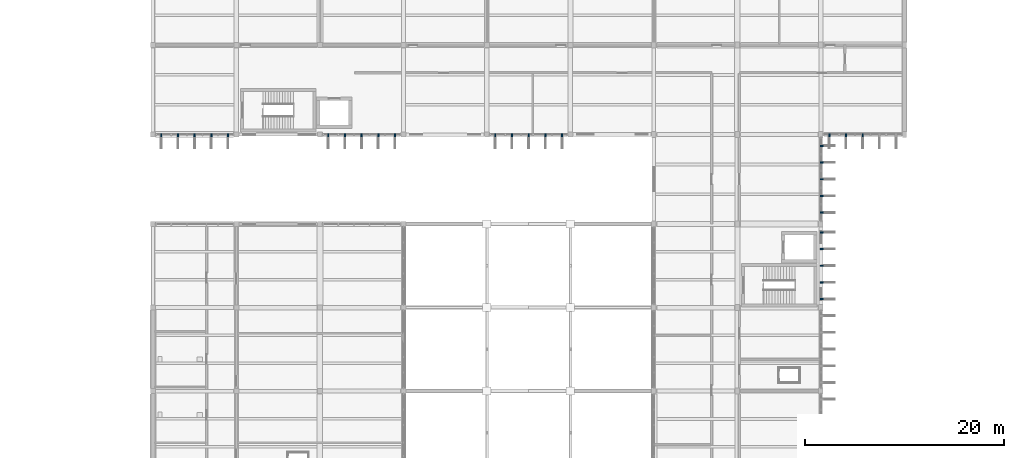
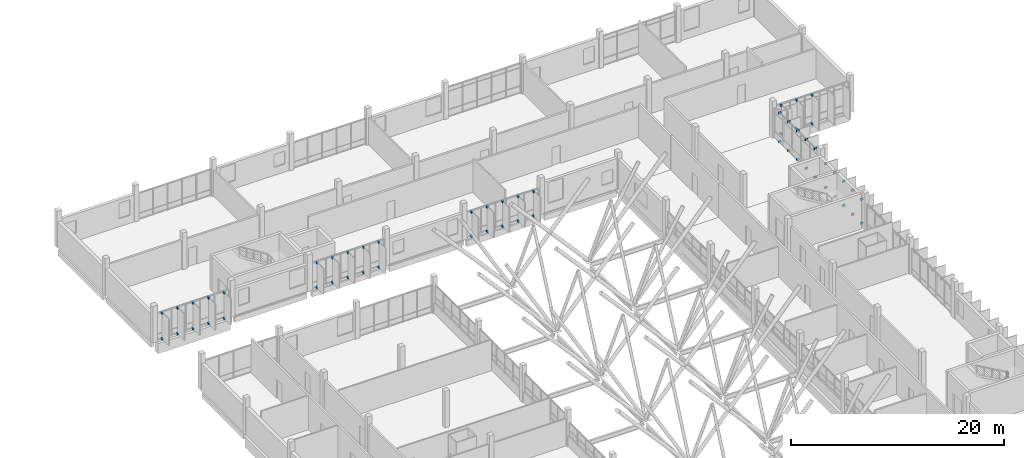
# One storey, part 101 of 107: 56 discrete accessories.
"""IFC4 building model written with IfcOpenShell, lengths in metres."""

from ifc_helpers import new_model, si_unit, direction, frame, origin, origin_2d, place, context, subcontext, project, spatial, rectangle, extrude, material, type_object, element, save


model = new_model("IFC4")

# Units and contexts
model_context = context("Model", 3, precision=1e-05, world=origin(), true_north=direction((0.0, 1.0)))
body_context = subcontext(model_context, "Body", "Model", "MODEL_VIEW")
ifc_project = project(units=[si_unit("LENGTHUNIT", "METRE"), si_unit("AREAUNIT", "SQUARE_METRE"), si_unit("VOLUMEUNIT", "CUBIC_METRE"), si_unit("PLANEANGLEUNIT", "RADIAN"), si_unit("MASSUNIT", "GRAM", prefix="KILO")], contexts=[model_context])

# Site, building, storey
site_placement = place(None, origin())
site = spatial("IfcSite", under=ifc_project, at=site_placement, CompositionType="ELEMENT")
building_placement = place(site_placement, origin())
building = spatial("IfcBuilding", under=site, at=building_placement, Name="Vireocrest Preparatory School", CompositionType="ELEMENT")
storey_placement = place(building_placement, frame((0.0, 0.0, 13.199951171875)))
storey = spatial("IfcBuildingStorey", under=building, at=storey_placement, Name="L03", CompositionType="ELEMENT", Elevation=13.199951171875)

# Discrete accessories
ifc_material = material(Name="Structural steel ASTM A572 Grade 50", Category="steel")
discrete_accessory_type = type_object("IfcDiscreteAccessoryType", Name="Slab-Edge Steel Outrigger Fin Bracket", PredefinedType="BRACKET", material=ifc_material)
for number, where, z_axis, x_axis, name in (
    (1, (109.27001953125, 86.93994140625, -0.08984375), (0.0, 0.0, 1.0), (0.0, -1.0, 0.0), "Solar Fin Outrigger Bracket BK1 L03-40-1-BOT"),
    (2, (109.27001953125, 86.93994140625, 3.2099609375), (0.0, 0.0, 1.0), (0.0, -1.0, 0.0), "Solar Fin Outrigger Bracket BK1 L03-40-1-TOP"),
    (3, (109.27001953125, 88.6201171875, -0.08984375), (0.0, 0.0, 1.0), (0.0, -1.0, 0.0), "Solar Fin Outrigger Bracket BK1 L03-40-2-BOT"),
    (4, (109.27001953125, 88.6201171875, 3.2099609375), (0.0, 0.0, 1.0), (0.0, -1.0, 0.0), "Solar Fin Outrigger Bracket BK1 L03-40-2-TOP"),
    (5, (109.27001953125, 90.300048828125, -0.08984375), (0.0, 0.0, 1.0), (0.0, -1.0, 0.0), "Solar Fin Outrigger Bracket BK1 L03-40-3-BOT"),
    (6, (109.27001953125, 90.300048828125, 3.2099609375), (0.0, 0.0, 1.0), (0.0, -1.0, 0.0), "Solar Fin Outrigger Bracket BK1 L03-40-3-TOP"),
    (7, (109.27001953125, 91.97998046875, -0.08984375), (0.0, 0.0, 1.0), (0.0, -1.0, 0.0), "Solar Fin Outrigger Bracket BK1 L03-40-4-BOT"),
    (8, (109.27001953125, 91.97998046875, 3.2099609375), (0.0, 0.0, 1.0), (0.0, -1.0, 0.0), "Solar Fin Outrigger Bracket BK1 L03-40-4-TOP"),
    (9, (109.27001953125, 93.659912109375, -0.08984375), (0.0, 0.0, 1.0), (0.0, -1.0, 0.0), "Solar Fin Outrigger Bracket BK1 L03-40-5-BOT"),
    (10, (109.27001953125, 93.659912109375, 3.2099609375), (0.0, 0.0, 1.0), (0.0, -1.0, 0.0), "Solar Fin Outrigger Bracket BK1 L03-40-5-TOP"),
    (11, (110.0400390625, 94.72998046875, -0.08984375), (0.0, 0.0, 1.0), (-1.0, 0.0, 0.0), "Solar Fin Outrigger Bracket BK1 L03-41-1-BOT"),
    (12, (110.0400390625, 94.72998046875, 3.16015625), (0.0, 0.0, 1.0), (-1.0, 0.0, 0.0), "Solar Fin Outrigger Bracket BK1 L03-41-1-TOP"),
    (13, (111.719970703125, 94.72998046875, -0.08984375), (0.0, 0.0, 1.0), (-1.0, 0.0, 0.0), "Solar Fin Outrigger Bracket BK1 L03-41-2-BOT"),
    (14, (111.719970703125, 94.72998046875, 3.16015625), (0.0, 0.0, 1.0), (-1.0, 0.0, 0.0), "Solar Fin Outrigger Bracket BK1 L03-41-2-TOP"),
    (15, (113.39990234375, 94.72998046875, -0.08984375), (0.0, 0.0, 1.0), (-1.0, 0.0, 0.0), "Solar Fin Outrigger Bracket BK1 L03-41-3-BOT"),
    (16, (113.39990234375, 94.72998046875, 3.16015625), (0.0, 0.0, 1.0), (-1.0, 0.0, 0.0), "Solar Fin Outrigger Bracket BK1 L03-41-3-TOP"),
    (17, (42.840087890625, 94.72998046875, -0.08984375), (0.0, 0.0, 1.0), (-1.0, 0.0, 0.0), "Solar Fin Outrigger Bracket BK1 L03-42-1-BOT"),
    (18, (42.840087890625, 94.72998046875, 2.83984375), (0.0, 0.0, 1.0), (-1.0, 0.0, 0.0), "Solar Fin Outrigger Bracket BK1 L03-42-1-TOP"),
    (19, (44.52001953125, 94.72998046875, -0.08984375), (0.0, 0.0, 1.0), (-1.0, 0.0, 0.0), "Solar Fin Outrigger Bracket BK1 L03-42-2-BOT"),
    (20, (44.52001953125, 94.72998046875, 2.83984375), (0.0, 0.0, 1.0), (-1.0, 0.0, 0.0), "Solar Fin Outrigger Bracket BK1 L03-42-2-TOP"),
    (21, (46.199951171875, 94.72998046875, -0.08984375), (0.0, 0.0, 1.0), (-1.0, 0.0, 0.0), "Solar Fin Outrigger Bracket BK1 L03-42-3-BOT"),
    (22, (46.199951171875, 94.72998046875, 2.83984375), (0.0, 0.0, 1.0), (-1.0, 0.0, 0.0), "Solar Fin Outrigger Bracket BK1 L03-42-3-TOP"),
    (23, (47.8798828125, 94.72998046875, -0.08984375), (0.0, 0.0, 1.0), (-1.0, 0.0, 0.0), "Solar Fin Outrigger Bracket BK1 L03-42-4-BOT"),
    (24, (47.8798828125, 94.72998046875, 2.83984375), (0.0, 0.0, 1.0), (-1.0, 0.0, 0.0), "Solar Fin Outrigger Bracket BK1 L03-42-4-TOP"),
    (25, (49.56005859375, 94.72998046875, -0.08984375), (0.0, 0.0, 1.0), (-1.0, 0.0, 0.0), "Solar Fin Outrigger Bracket BK1 L03-42-5-BOT"),
    (26, (49.56005859375, 94.72998046875, 2.83984375), (0.0, 0.0, 1.0), (-1.0, 0.0, 0.0), "Solar Fin Outrigger Bracket BK1 L03-42-5-TOP"),
    (27, (59.639892578125, 94.72998046875, -0.08984375), (0.0, 0.0, 1.0), (-1.0, 0.0, 0.0), "Solar Fin Outrigger Bracket BK1 L03-43-1-BOT"),
    (28, (59.639892578125, 94.72998046875, 2.740234375), (0.0, 0.0, 1.0), (-1.0, 0.0, 0.0), "Solar Fin Outrigger Bracket BK1 L03-43-1-TOP"),
    (29, (61.320068359375, 94.72998046875, -0.08984375), (0.0, 0.0, 1.0), (-1.0, 0.0, 0.0), "Solar Fin Outrigger Bracket BK1 L03-43-2-BOT"),
    (30, (61.320068359375, 94.72998046875, 2.740234375), (0.0, 0.0, 1.0), (-1.0, 0.0, 0.0), "Solar Fin Outrigger Bracket BK1 L03-43-2-TOP"),
    (31, (63.0, 94.72998046875, -0.08984375), (0.0, 0.0, 1.0), (-1.0, 0.0, 0.0), "Solar Fin Outrigger Bracket BK1 L03-43-3-BOT"),
    (32, (63.0, 94.72998046875, 2.740234375), (0.0, 0.0, 1.0), (-1.0, 0.0, 0.0), "Solar Fin Outrigger Bracket BK1 L03-43-3-TOP"),
    (33, (64.679931640625, 94.72998046875, -0.08984375), (0.0, 0.0, 1.0), (-1.0, 0.0, 0.0), "Solar Fin Outrigger Bracket BK1 L03-43-4-BOT"),
    (34, (64.679931640625, 94.72998046875, 2.740234375), (0.0, 0.0, 1.0), (-1.0, 0.0, 0.0), "Solar Fin Outrigger Bracket BK1 L03-43-4-TOP"),
    (35, (66.360107421875, 94.72998046875, -0.08984375), (0.0, 0.0, 1.0), (-1.0, 0.0, 0.0), "Solar Fin Outrigger Bracket BK1 L03-43-5-BOT"),
    (36, (66.360107421875, 94.72998046875, 2.740234375), (0.0, 0.0, 1.0), (-1.0, 0.0, 0.0), "Solar Fin Outrigger Bracket BK1 L03-43-5-TOP"),
    (37, (76.43994140625, 94.72998046875, -0.08984375), (0.0, 0.0, 1.0), (-1.0, 0.0, 0.0), "Solar Fin Outrigger Bracket BK1 L03-44-1-BOT"),
    (38, (76.43994140625, 94.72998046875, 2.68994140625), (0.0, 0.0, 1.0), (-1.0, 0.0, 0.0), "Solar Fin Outrigger Bracket BK1 L03-44-1-TOP"),
    (39, (78.1201171875, 94.72998046875, -0.08984375), (0.0, 0.0, 1.0), (-1.0, 0.0, 0.0), "Solar Fin Outrigger Bracket BK1 L03-44-2-BOT"),
    (40, (78.1201171875, 94.72998046875, 2.68994140625), (0.0, 0.0, 1.0), (-1.0, 0.0, 0.0), "Solar Fin Outrigger Bracket BK1 L03-44-2-TOP"),
    (41, (79.800048828125, 94.72998046875, -0.08984375), (0.0, 0.0, 1.0), (-1.0, 0.0, 0.0), "Solar Fin Outrigger Bracket BK1 L03-44-3-BOT"),
    (42, (79.800048828125, 94.72998046875, 2.68994140625), (0.0, 0.0, 1.0), (-1.0, 0.0, 0.0), "Solar Fin Outrigger Bracket BK1 L03-44-3-TOP"),
    (43, (81.47998046875, 94.72998046875, -0.08984375), (0.0, 0.0, 1.0), (-1.0, 0.0, 0.0), "Solar Fin Outrigger Bracket BK1 L03-44-4-BOT"),
    (44, (81.47998046875, 94.72998046875, 2.68994140625), (0.0, 0.0, 1.0), (-1.0, 0.0, 0.0), "Solar Fin Outrigger Bracket BK1 L03-44-4-TOP"),
    (45, (83.159912109375, 94.72998046875, -0.08984375), (0.0, 0.0, 1.0), (-1.0, 0.0, 0.0), "Solar Fin Outrigger Bracket BK1 L03-44-5-BOT"),
    (46, (83.159912109375, 94.72998046875, 2.68994140625), (0.0, 0.0, 1.0), (-1.0, 0.0, 0.0), "Solar Fin Outrigger Bracket BK1 L03-44-5-TOP"),
    (47, (109.27001953125, 78.239990234375, -0.08984375), (0.0, 0.0, 1.0), (0.0, -1.0, 0.0), "Solar Fin Outrigger Bracket BK1 L03-51-1-BOT"),
    (48, (109.27001953125, 78.239990234375, 2.669921875), (0.0, 0.0, 1.0), (0.0, -1.0, 0.0), "Solar Fin Outrigger Bracket BK1 L03-51-1-TOP"),
    (49, (109.27001953125, 79.919921875, -0.08984375), (0.0, 0.0, 1.0), (0.0, -1.0, 0.0), "Solar Fin Outrigger Bracket BK1 L03-51-2-BOT"),
    (50, (109.27001953125, 79.919921875, 2.669921875), (0.0, 0.0, 1.0), (0.0, -1.0, 0.0), "Solar Fin Outrigger Bracket BK1 L03-51-2-TOP"),
    (51, (109.27001953125, 81.60009765625, -0.08984375), (0.0, 0.0, 1.0), (0.0, -1.0, 0.0), "Solar Fin Outrigger Bracket BK1 L03-51-3-BOT"),
    (52, (109.27001953125, 81.60009765625, 2.669921875), (0.0, 0.0, 1.0), (0.0, -1.0, 0.0), "Solar Fin Outrigger Bracket BK1 L03-51-3-TOP"),
    (53, (109.27001953125, 83.280029296875, -0.08984375), (0.0, 0.0, 1.0), (0.0, -1.0, 0.0), "Solar Fin Outrigger Bracket BK1 L03-51-4-BOT"),
    (54, (109.27001953125, 83.280029296875, 2.669921875), (0.0, 0.0, 1.0), (0.0, -1.0, 0.0), "Solar Fin Outrigger Bracket BK1 L03-51-4-TOP"),
    (55, (109.27001953125, 84.9599609375, -0.08984375), (0.0, 0.0, 1.0), (0.0, -1.0, 0.0), "Solar Fin Outrigger Bracket BK1 L03-51-5-BOT"),
    (56, (109.27001953125, 84.9599609375, 2.669921875), (0.0, 0.0, 1.0), (0.0, -1.0, 0.0), "Solar Fin Outrigger Bracket BK1 L03-51-5-TOP"),
):
    element("IfcDiscreteAccessory", number, at=place(storey_placement, frame(where, z_axis=z_axis, x_axis=x_axis)), inside=storey, type_object=discrete_accessory_type, Name=name, PredefinedType="BRACKET", context=body_context, shape_type="SweptSolid", body=[
        extrude(rectangle(XDim=0.139892578125, YDim=0.300048828125, at=origin_2d()), origin(), (0.0, 0.0, 1.0), 0.219970703125),
    ])

save(model, "model.ifc")
